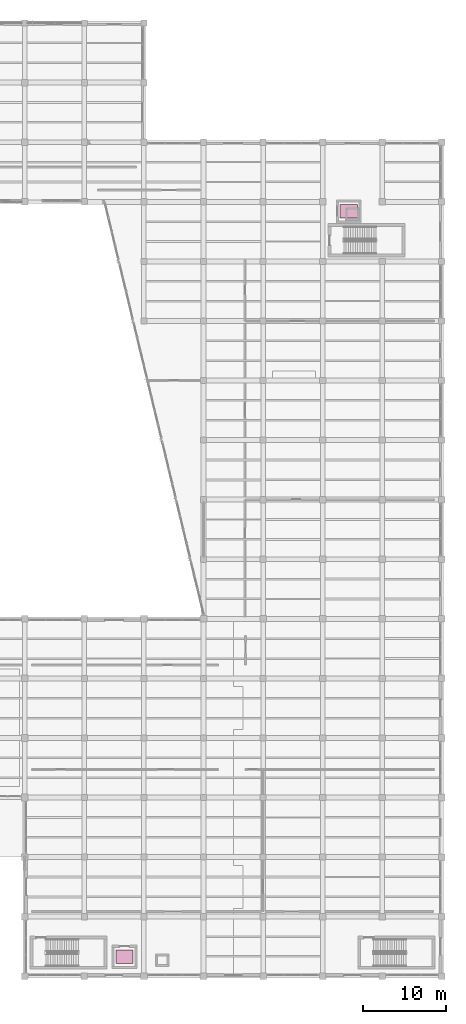
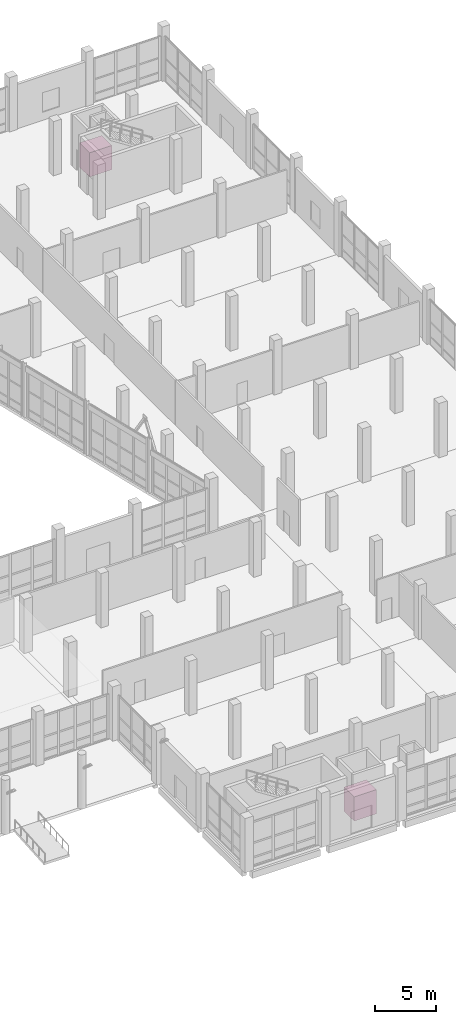
# One storey, part 137 of 137: 2 transport elements.
"""IFC4 building model written with IfcOpenShell, lengths in metres."""

import ifcopenshell
import ifcopenshell.guid

model = None  # the IFC model being written
_history = None  # IfcOwnerHistory: only IFC2X3 demands one
_inside = {}  # id of a spatial element -> (the spatial element, [elements in it])
_under = {}  # id of a project, library or spatial element -> (it, [spatial elements below it])
_declared = {}  # id of a project -> (the project, [libraries it declares])
_typed = {}  # id of a type object -> (the type object, [elements of that type])
_made_of = {}  # id of a material, layer set ... -> (it, [elements and type objects made of it])


def new_model(schema):
    """Start an empty IFC model of exactly this schema.

    Asked for "IFC4X3", IfcOpenShell would pick the latest addendum, in which some entities
    have other attributes; the version numbers below select the first issue.
    IFC2X3 requires an IfcOwnerHistory on every rooted entity: one is made here for all.
    """
    global model, _history
    if schema == "IFC4X3":
        model = ifcopenshell.file(schema_version=(4, 3, 0, 0))
    else:
        model = ifcopenshell.file(schema=schema)
    _inside.clear()
    _under.clear()
    _declared.clear()
    _typed.clear()
    _made_of.clear()
    _history = None
    if model.schema == "IFC2X3":
        org = make("IfcOrganization", Name="unknown")
        user = make(
            "IfcPersonAndOrganization",
            ThePerson=make("IfcPerson", FamilyName="unknown"),
            TheOrganization=org,
        )
        app = make(
            "IfcApplication",
            ApplicationDeveloper=org,
            Version="unknown",
            ApplicationFullName="unknown",
            ApplicationIdentifier="unknown",
        )
        _history = make(
            "IfcOwnerHistory",
            OwningUser=user,
            OwningApplication=app,
            ChangeAction="ADDED",
            CreationDate=0,
        )
    return model


def make(cls, **values):
    """One entity of the class cls with the attributes given. An attribute that is None is left unset."""
    return model.create_entity(
        cls, **{name: value for name, value in values.items() if value is not None}
    )


def rooted(cls, **values):
    """An entity with a GlobalId (a new one), such as an element, a storey or a relation."""
    return make(cls, GlobalId=ifcopenshell.guid.new(), OwnerHistory=_history, **values)


def si_unit(unit_type, name, prefix=None):
    """IfcSIUnit, for example si_unit("LENGTHUNIT", "METRE", prefix="MILLI")."""
    return make("IfcSIUnit", UnitType=unit_type, Prefix=prefix, Name=name)


def assignment(units):
    """IfcUnitAssignment: the units of a project."""
    return None if units is None else make("IfcUnitAssignment", Units=units)


def point(xyz):
    """IfcCartesianPoint."""
    return None if xyz is None else make("IfcCartesianPoint", Coordinates=xyz)


def direction(xyz):
    """IfcDirection."""
    return None if xyz is None else make("IfcDirection", DirectionRatios=xyz)


def frame(location, z_axis=None, x_axis=None):
    """IfcAxis2Placement3D, a coordinate frame: its origin and axes. An axis left out is left unset."""
    return make(
        "IfcAxis2Placement3D",
        Location=point(location),
        Axis=direction(z_axis),
        RefDirection=direction(x_axis),
    )


def frame_2d(location, x_axis=None):
    """IfcAxis2Placement2D, a coordinate frame in the plane: its origin and x axis."""
    return make(
        "IfcAxis2Placement2D", Location=point(location), RefDirection=direction(x_axis)
    )


def origin():
    """The frame at (0, 0, 0) with its axes left unset."""
    return frame((0.0, 0.0, 0.0))


def origin_2d():
    """The frame at (0, 0) in the plane with its x axis left unset."""
    return frame_2d((0.0, 0.0))


def place(relative_to, where):
    """IfcLocalPlacement: puts the frame where relative to a parent placement (None: the world)."""
    return make(
        "IfcLocalPlacement", PlacementRelTo=relative_to, RelativePlacement=where
    )


def context(
    kind, dimensions, precision=None, world=None, true_north=None, identifier=None
):
    """IfcGeometricRepresentationContext, for example the 3D "Model" context."""
    return make(
        "IfcGeometricRepresentationContext",
        ContextIdentifier=identifier,
        ContextType=kind,
        CoordinateSpaceDimension=dimensions,
        Precision=precision,
        WorldCoordinateSystem=world,
        TrueNorth=true_north,
    )


def subcontext(parent, identifier, kind, view, scale=None):
    """IfcGeometricRepresentationSubContext, for example "Body" below "Model"."""
    return make(
        "IfcGeometricRepresentationSubContext",
        ContextIdentifier=identifier,
        ContextType=kind,
        ParentContext=parent,
        TargetScale=scale,
        TargetView=view,
    )


def project(units=None, contexts=None):
    """IfcProject with its units and contexts."""
    return rooted(
        "IfcProject",
        Name="project",
        RepresentationContexts=contexts,
        UnitsInContext=assignment(units),
    )


def spatial(cls, under=None, at=None, **own):
    """A site, building, storey or space (cls), placed at a placement, below another one or the project."""
    s = rooted(cls, ObjectPlacement=at, **own)
    if under is not None:
        _under.setdefault(under.id(), (under, []))[1].append(s)
    return s


def profile(cls, at=None, kind="AREA", **sizes):
    """A parametric profile (cls). Its sizes go by their IFC names, for example OverallWidth=200.0."""
    return make(cls, ProfileType=kind, Position=at, **sizes)


def rectangle(**sizes):
    """IfcRectangleProfileDef."""
    return profile("IfcRectangleProfileDef", **sizes)


def extrude(swept, where, along, depth):
    """IfcExtrudedAreaSolid: the profile swept, set in the frame where, extruded along a direction by depth."""
    return make(
        "IfcExtrudedAreaSolid",
        SweptArea=swept,
        Position=where,
        ExtrudedDirection=direction(along),
        Depth=depth,
    )


def shape(context_of_items, identifier, shape_type, items):
    """IfcShapeRepresentation: the items that make up one representation, for example the "Body"."""
    return make(
        "IfcShapeRepresentation",
        ContextOfItems=context_of_items,
        RepresentationIdentifier=identifier,
        RepresentationType=shape_type,
        Items=items,
    )


def material(Name=None, Category=None):
    """IfcMaterial."""
    return make("IfcMaterial", Name=Name, Category=Category)


def made_of(thing, what):
    """Note that an element or type object is made of a material, layer set ...; save() writes the relation."""
    if what is not None:
        _made_of.setdefault(what.id(), (what, []))[1].append(thing)
    return thing


def type_object(cls, material=None, **own):
    """A type object (cls), such as IfcWallType, which elements share."""
    return made_of(rooted(cls, **own), material)


def element(
    cls,
    number,
    at=None,
    inside=None,
    cuts=None,
    type_object=None,
    material=None,
    context=None,
    identifier="Body",
    shape_type=None,
    held_by="IfcProductDefinitionShape",
    body=None,
    shapes=None,
    **own,
):
    """One element of the class cls, such as IfcWall. Its Tag is "e" and its number.

    at: its placement. inside: the storey or other place that contains it. cuts: it is an
    opening in that element (IfcRelVoidsElement). A single representation is given by context,
    identifier, shape_type and body (its items); several are given by shapes. held_by: the class
    of the entity that holds the representations. save() writes the other relations.
    """
    e = rooted(cls, Tag="e%d" % number, ObjectPlacement=at, **own)
    if body is not None:
        shapes = [shape(context, identifier, shape_type, body)]
    if shapes is not None:
        e.Representation = make(held_by, Representations=shapes)
    if inside is not None:
        _inside.setdefault(inside.id(), (inside, []))[1].append(e)
    if cuts is not None:
        rooted(
            "IfcRelVoidsElement", RelatingBuildingElement=cuts, RelatedOpeningElement=e
        )
    if type_object is not None:
        _typed.setdefault(type_object.id(), (type_object, []))[1].append(e)
    return made_of(e, material)


def aggregate(whole, parts):
    """IfcRelAggregates: a whole, such as a stair, and the parts it consists of."""
    return rooted("IfcRelAggregates", RelatingObject=whole, RelatedObjects=parts)


def save(model, path):
    """Write the relations noted so far, then the file.

    IfcRelAggregates (storeys below a building ...), IfcRelContainedInSpatialStructure (elements
    in a storey), IfcRelDefinesByType, IfcRelAssociatesMaterial and IfcRelDeclares: one each for
    every whole, place, type object, material and project.
    """
    for whole, parts in _under.values():
        aggregate(whole, parts)
    for where, things in _inside.values():
        rooted(
            "IfcRelContainedInSpatialStructure",
            RelatedElements=things,
            RelatingStructure=where,
        )
    for kind, things in _typed.values():
        rooted("IfcRelDefinesByType", RelatedObjects=things, RelatingType=kind)
    for what, things in _made_of.values():
        rooted("IfcRelAssociatesMaterial", RelatedObjects=things, RelatingMaterial=what)
    for by, libraries in _declared.values():
        rooted("IfcRelDeclares", RelatingContext=by, RelatedDefinitions=libraries)
    model.write(path)


model = new_model("IFC4")

# Units and contexts
model_context = context("Model", 3, precision=1e-05, world=origin(), true_north=direction((0.0, 1.0)))
body_context = subcontext(model_context, "Body", "Model", "MODEL_VIEW")
ifc_project = project(units=[si_unit("LENGTHUNIT", "METRE"), si_unit("AREAUNIT", "SQUARE_METRE"), si_unit("VOLUMEUNIT", "CUBIC_METRE"), si_unit("PLANEANGLEUNIT", "RADIAN"), si_unit("MASSUNIT", "GRAM", prefix="KILO")], contexts=[model_context])

# Site, building, storey
site_placement = place(None, origin())
site = spatial("IfcSite", under=ifc_project, at=site_placement, CompositionType="ELEMENT")
building_placement = place(site_placement, origin())
building = spatial("IfcBuilding", under=site, at=building_placement, Name="Kalmorath City Hall", CompositionType="ELEMENT")
storey_placement = place(building_placement, origin())
storey = spatial("IfcBuildingStorey", under=building, at=storey_placement, Name="L00", CompositionType="ELEMENT", Elevation=0.0)

# Transport elements
ifc_material = material(Name="Stainless steel elevator cab", Category="steel")
transport_element_type = type_object("IfcTransportElementType", Name="Passenger elevator car 2100x1650", PredefinedType="ELEVATOR", material=ifc_material)
for number, where, z_axis, x_axis, name in (
    (1, (127.25, 2.35009765625, 0.0), (0.0, 0.0, 1.0), (1.0, 0.0, 0.0), "Elevator PL5"),
    (2, (154.35009765625, 92.449951171875, 0.0), (0.0, 0.0, 1.0), (1.0, 0.0, 0.0), "Elevator PL6"),
):
    element("IfcTransportElement", number, at=place(storey_placement, frame(where, z_axis=z_axis, x_axis=x_axis)), inside=storey, type_object=transport_element_type, Name=name, PredefinedType="ELEVATOR", context=body_context, shape_type="SweptSolid", body=[
        extrude(rectangle(XDim=2.10009765625, YDim=1.64990234375, at=origin_2d()), origin(), (0.0, 0.0, 1.0), 2.39990234375),
    ])

save(model, "model.ifc")
